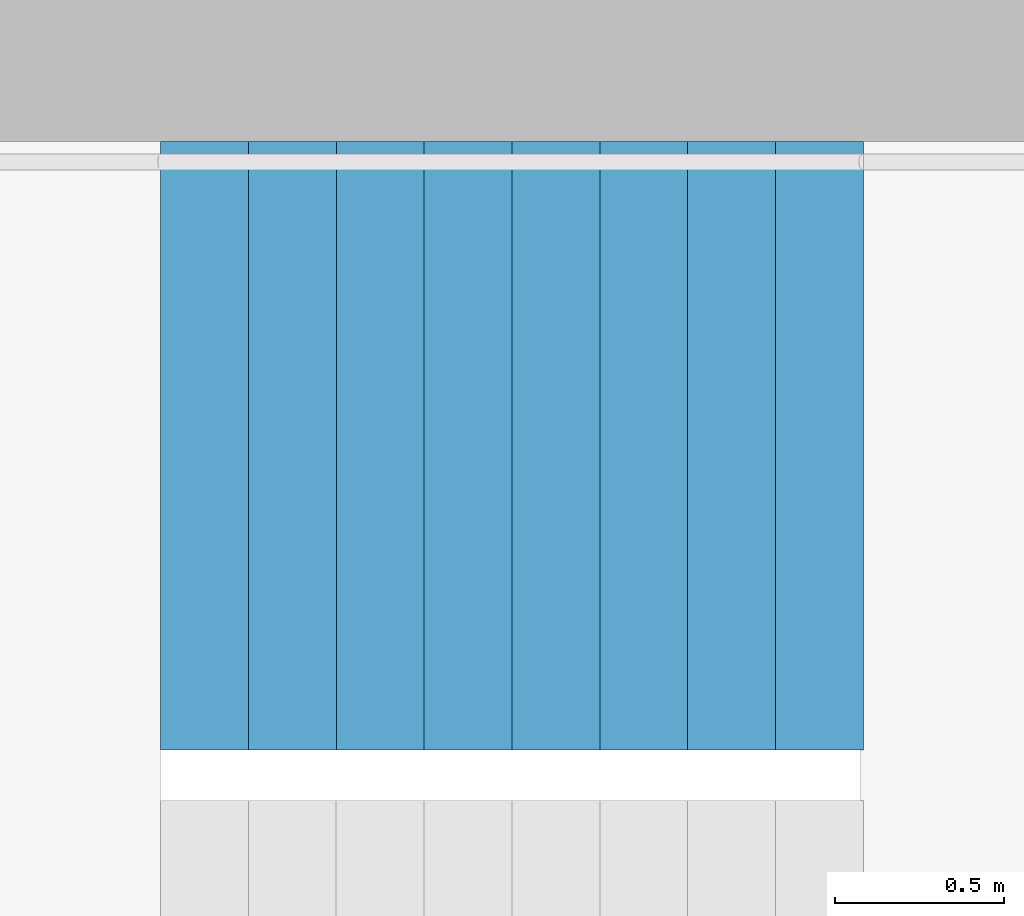
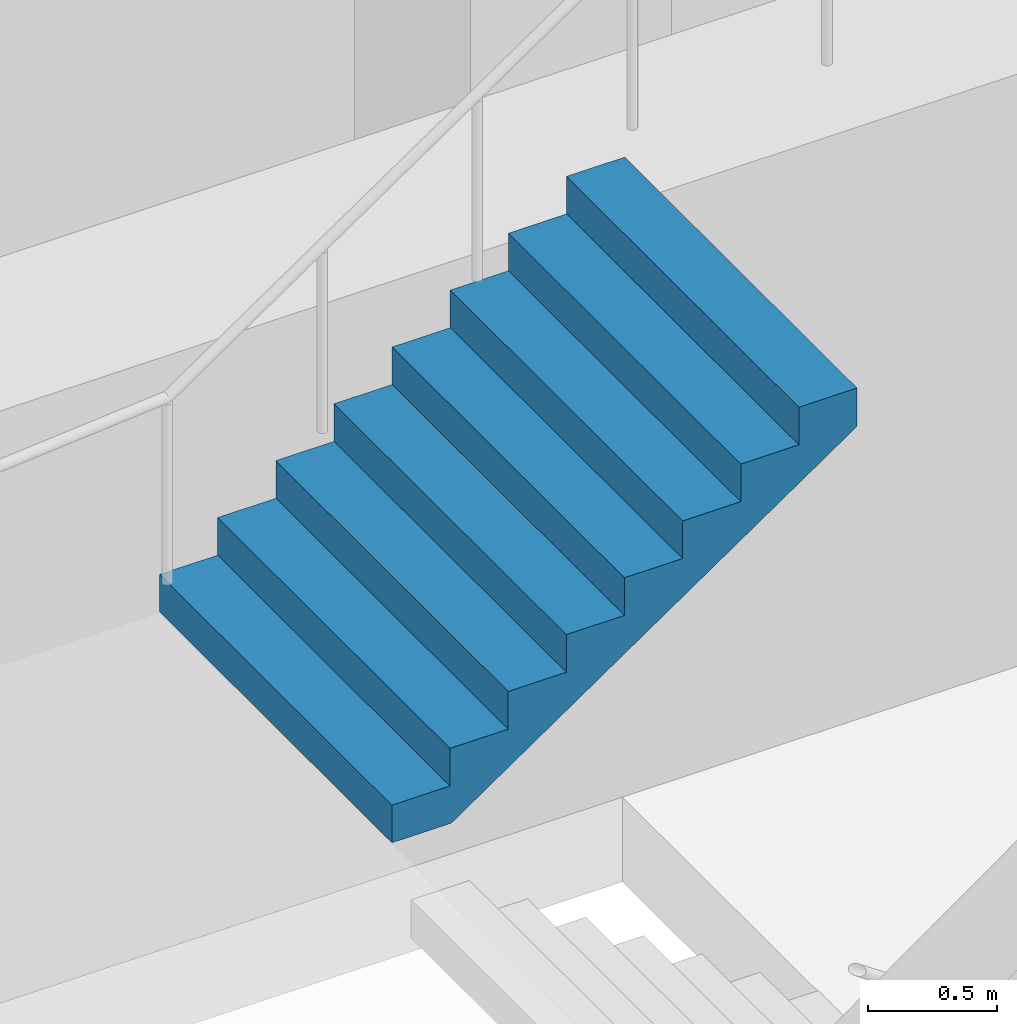
# One storey, part 28 of 29: 1 stair flight, 1 element without a shape of its own.
"""IFC4 building model written with IfcOpenShell, lengths in metres."""

import ifcopenshell
import ifcopenshell.guid

model = None  # the IFC model being written
_history = None  # IfcOwnerHistory: only IFC2X3 demands one
_inside = {}  # id of a spatial element -> (the spatial element, [elements in it])
_under = {}  # id of a project, library or spatial element -> (it, [spatial elements below it])
_declared = {}  # id of a project -> (the project, [libraries it declares])
_typed = {}  # id of a type object -> (the type object, [elements of that type])
_made_of = {}  # id of a material, layer set ... -> (it, [elements and type objects made of it])


def new_model(schema):
    """Start an empty IFC model of exactly this schema.

    Asked for "IFC4X3", IfcOpenShell would pick the latest addendum, in which some entities
    have other attributes; the version numbers below select the first issue.
    IFC2X3 requires an IfcOwnerHistory on every rooted entity: one is made here for all.
    """
    global model, _history
    if schema == "IFC4X3":
        model = ifcopenshell.file(schema_version=(4, 3, 0, 0))
    else:
        model = ifcopenshell.file(schema=schema)
    _inside.clear()
    _under.clear()
    _declared.clear()
    _typed.clear()
    _made_of.clear()
    _history = None
    if model.schema == "IFC2X3":
        org = make("IfcOrganization", Name="unknown")
        user = make(
            "IfcPersonAndOrganization",
            ThePerson=make("IfcPerson", FamilyName="unknown"),
            TheOrganization=org,
        )
        app = make(
            "IfcApplication",
            ApplicationDeveloper=org,
            Version="unknown",
            ApplicationFullName="unknown",
            ApplicationIdentifier="unknown",
        )
        _history = make(
            "IfcOwnerHistory",
            OwningUser=user,
            OwningApplication=app,
            ChangeAction="ADDED",
            CreationDate=0,
        )
    return model


def make(cls, **values):
    """One entity of the class cls with the attributes given. An attribute that is None is left unset."""
    return model.create_entity(
        cls, **{name: value for name, value in values.items() if value is not None}
    )


def rooted(cls, **values):
    """An entity with a GlobalId (a new one), such as an element, a storey or a relation."""
    return make(cls, GlobalId=ifcopenshell.guid.new(), OwnerHistory=_history, **values)


def si_unit(unit_type, name, prefix=None):
    """IfcSIUnit, for example si_unit("LENGTHUNIT", "METRE", prefix="MILLI")."""
    return make("IfcSIUnit", UnitType=unit_type, Prefix=prefix, Name=name)


def assignment(units):
    """IfcUnitAssignment: the units of a project."""
    return None if units is None else make("IfcUnitAssignment", Units=units)


def point(xyz):
    """IfcCartesianPoint."""
    return None if xyz is None else make("IfcCartesianPoint", Coordinates=xyz)


def direction(xyz):
    """IfcDirection."""
    return None if xyz is None else make("IfcDirection", DirectionRatios=xyz)


def frame(location, z_axis=None, x_axis=None):
    """IfcAxis2Placement3D, a coordinate frame: its origin and axes. An axis left out is left unset."""
    return make(
        "IfcAxis2Placement3D",
        Location=point(location),
        Axis=direction(z_axis),
        RefDirection=direction(x_axis),
    )


def origin():
    """The frame at (0, 0, 0) with its axes left unset."""
    return frame((0.0, 0.0, 0.0))


def place(relative_to, where):
    """IfcLocalPlacement: puts the frame where relative to a parent placement (None: the world)."""
    return make(
        "IfcLocalPlacement", PlacementRelTo=relative_to, RelativePlacement=where
    )


def context(
    kind, dimensions, precision=None, world=None, true_north=None, identifier=None
):
    """IfcGeometricRepresentationContext, for example the 3D "Model" context."""
    return make(
        "IfcGeometricRepresentationContext",
        ContextIdentifier=identifier,
        ContextType=kind,
        CoordinateSpaceDimension=dimensions,
        Precision=precision,
        WorldCoordinateSystem=world,
        TrueNorth=true_north,
    )


def subcontext(parent, identifier, kind, view, scale=None):
    """IfcGeometricRepresentationSubContext, for example "Body" below "Model"."""
    return make(
        "IfcGeometricRepresentationSubContext",
        ContextIdentifier=identifier,
        ContextType=kind,
        ParentContext=parent,
        TargetScale=scale,
        TargetView=view,
    )


def project(units=None, contexts=None):
    """IfcProject with its units and contexts."""
    return rooted(
        "IfcProject",
        Name="project",
        RepresentationContexts=contexts,
        UnitsInContext=assignment(units),
    )


def spatial(cls, under=None, at=None, **own):
    """A site, building, storey or space (cls), placed at a placement, below another one or the project."""
    s = rooted(cls, ObjectPlacement=at, **own)
    if under is not None:
        _under.setdefault(under.id(), (under, []))[1].append(s)
    return s


def point_list(points):
    """IfcCartesianPointList2D or 3D."""
    cls = (
        "IfcCartesianPointList2D" if len(points[0]) == 2 else "IfcCartesianPointList3D"
    )
    return make(cls, CoordList=points)


def triangles(points, corners, closed=None, point_numbers=None):
    """IfcTriangulatedFaceSet: each triangle names its three corners, points numbered from 1."""
    return make(
        "IfcTriangulatedFaceSet",
        Coordinates=point_list(points),
        Closed=closed,
        CoordIndex=corners,
        PnIndex=point_numbers,
    )


def shape(context_of_items, identifier, shape_type, items):
    """IfcShapeRepresentation: the items that make up one representation, for example the "Body"."""
    return make(
        "IfcShapeRepresentation",
        ContextOfItems=context_of_items,
        RepresentationIdentifier=identifier,
        RepresentationType=shape_type,
        Items=items,
    )


def material(Name=None, Category=None):
    """IfcMaterial."""
    return make("IfcMaterial", Name=Name, Category=Category)


def made_of(thing, what):
    """Note that an element or type object is made of a material, layer set ...; save() writes the relation."""
    if what is not None:
        _made_of.setdefault(what.id(), (what, []))[1].append(thing)
    return thing


def type_object(cls, material=None, **own):
    """A type object (cls), such as IfcWallType, which elements share."""
    return made_of(rooted(cls, **own), material)


def element(
    cls,
    number,
    at=None,
    inside=None,
    cuts=None,
    type_object=None,
    material=None,
    context=None,
    identifier="Body",
    shape_type=None,
    held_by="IfcProductDefinitionShape",
    body=None,
    shapes=None,
    **own,
):
    """One element of the class cls, such as IfcWall. Its Tag is "e" and its number.

    at: its placement. inside: the storey or other place that contains it. cuts: it is an
    opening in that element (IfcRelVoidsElement). A single representation is given by context,
    identifier, shape_type and body (its items); several are given by shapes. held_by: the class
    of the entity that holds the representations. save() writes the other relations.
    """
    e = rooted(cls, Tag="e%d" % number, ObjectPlacement=at, **own)
    if body is not None:
        shapes = [shape(context, identifier, shape_type, body)]
    if shapes is not None:
        e.Representation = make(held_by, Representations=shapes)
    if inside is not None:
        _inside.setdefault(inside.id(), (inside, []))[1].append(e)
    if cuts is not None:
        rooted(
            "IfcRelVoidsElement", RelatingBuildingElement=cuts, RelatedOpeningElement=e
        )
    if type_object is not None:
        _typed.setdefault(type_object.id(), (type_object, []))[1].append(e)
    return made_of(e, material)


def aggregate(whole, parts):
    """IfcRelAggregates: a whole, such as a stair, and the parts it consists of."""
    return rooted("IfcRelAggregates", RelatingObject=whole, RelatedObjects=parts)


def save(model, path):
    """Write the relations noted so far, then the file.

    IfcRelAggregates (storeys below a building ...), IfcRelContainedInSpatialStructure (elements
    in a storey), IfcRelDefinesByType, IfcRelAssociatesMaterial and IfcRelDeclares: one each for
    every whole, place, type object, material and project.
    """
    for whole, parts in _under.values():
        aggregate(whole, parts)
    for where, things in _inside.values():
        rooted(
            "IfcRelContainedInSpatialStructure",
            RelatedElements=things,
            RelatingStructure=where,
        )
    for kind, things in _typed.values():
        rooted("IfcRelDefinesByType", RelatedObjects=things, RelatingType=kind)
    for what, things in _made_of.values():
        rooted("IfcRelAssociatesMaterial", RelatedObjects=things, RelatingMaterial=what)
    for by, libraries in _declared.values():
        rooted("IfcRelDeclares", RelatingContext=by, RelatedDefinitions=libraries)
    model.write(path)


model = new_model("IFC4")

# Units and contexts
model_context = context("Model", 3, precision=1e-05, world=origin(), true_north=direction((0.0, 1.0)))
body_context = subcontext(model_context, "Body", "Model", "MODEL_VIEW")
ifc_project = project(units=[si_unit("LENGTHUNIT", "METRE"), si_unit("AREAUNIT", "SQUARE_METRE"), si_unit("VOLUMEUNIT", "CUBIC_METRE"), si_unit("PLANEANGLEUNIT", "RADIAN"), si_unit("MASSUNIT", "GRAM", prefix="KILO")], contexts=[model_context])

# Site, building, storey
site_placement = place(None, origin())
site = spatial("IfcSite", under=ifc_project, at=site_placement, CompositionType="ELEMENT")
building_placement = place(site_placement, origin())
building = spatial("IfcBuilding", under=site, at=building_placement, Name="Hakoniwa Tower and Hamabe Station Hall", CompositionType="ELEMENT")
storey_placement = place(building_placement, frame((0.0, 0.0, 110.60009765625)))
storey = spatial("IfcBuildingStorey", under=building, at=storey_placement, Name="L31", CompositionType="ELEMENT", Elevation=110.60009765625)

# Stair, stair flight
ifc_material_1 = material(Name="Concrete C40", Category="concrete")
stair_type = type_object("IfcStairType", Name="ESCAPE STAIR 1800", PredefinedType="HALF_TURN_STAIR", material=ifc_material_1)
stair_placement = place(storey_placement, origin())
stair = element("IfcStair", 1, at=stair_placement, inside=storey, type_object=stair_type, Name="Escape stair ST-3 L31", PredefinedType="HALF_TURN_STAIR")
ifc_material_2 = material(Name="Concrete C40", Category="concrete")
stair_flight_type = type_object("IfcStairFlightType", Name="STAIR FLIGHT 1800", PredefinedType="STRAIGHT", material=ifc_material_2)
stair_flight_placement = place(storey_placement, frame((22.320068359375, 6.60009765625, 1.599853515625), z_axis=(0.0, 0.0, 1.0), x_axis=(1.0, 0.0, 0.0)))
stair_flight = element("IfcStairFlight", 2, at=stair_flight_placement, type_object=stair_flight_type, Name="ST-3 flight 2", NumberOfRisers=9, NumberOfTreads=8, PredefinedType="STRAIGHT", RiserHeight=0.177777778, TreadLength=0.26, context=body_context, shape_type="Tessellation", body=[
    triangles([(0.0, 0.89990234375, 0.0), (0.260009765625, 0.89990234375, 0.0), (0.265625, 0.89990234375, 0.0), (0.52001953125, 0.89990234375, 0.174072265625), (0.780029296875, 0.89990234375, 0.351806640625), (1.0400390625, 0.89990234375, 0.529541015625), (1.300048828125, 0.89990234375, 0.707275390625), (1.56005859375, 0.89990234375, 0.885009765625), (1.820068359375, 0.89990234375, 1.062744140625), (2.080078125, 0.89990234375, 1.24072265625), (2.080078125, 0.89990234375, 1.422119140625), (1.820068359375, 0.89990234375, 1.422119140625), (1.820068359375, 0.89990234375, 1.244384765625), (1.56005859375, 0.89990234375, 1.244384765625), (1.56005859375, 0.89990234375, 1.066650390625), (1.300048828125, 0.89990234375, 1.066650390625), (1.300048828125, 0.89990234375, 0.888916015625), (1.0400390625, 0.89990234375, 0.888916015625), (1.0400390625, 0.89990234375, 0.711181640625), (0.780029296875, 0.89990234375, 0.711181640625), (0.780029296875, 0.89990234375, 0.533447265625), (0.52001953125, 0.89990234375, 0.533447265625), (0.52001953125, 0.89990234375, 0.35546875), (0.265625, 0.89990234375, 0.35546875), (0.260009765625, 0.89990234375, 0.35546875), (0.260009765625, 0.89990234375, 0.177734375), (0.0, 0.89990234375, 0.177734375), (0.0, 0.06005859375, 0.0), (0.260009765625, 0.06005859375, 0.0), (0.265625, 0.06005859375, 0.0), (0.52001953125, 0.06005859375, 0.174072265625), (0.780029296875, 0.06005859375, 0.351806640625), (1.0400390625, 0.06005859375, 0.529541015625), (1.300048828125, 0.06005859375, 0.707275390625), (1.56005859375, 0.06005859375, 0.885009765625), (1.820068359375, 0.06005859375, 1.062744140625), (2.080078125, 0.06005859375, 1.24072265625), (2.080078125, 0.06005859375, 1.422119140625), (1.820068359375, 0.06005859375, 1.422119140625), (1.820068359375, 0.06005859375, 1.244384765625), (1.56005859375, 0.06005859375, 1.244384765625), (1.56005859375, 0.06005859375, 1.066650390625), (1.300048828125, 0.06005859375, 1.066650390625), (1.300048828125, 0.06005859375, 0.888916015625), (1.0400390625, 0.06005859375, 0.888916015625), (1.0400390625, 0.06005859375, 0.711181640625), (0.780029296875, 0.06005859375, 0.711181640625), (0.780029296875, 0.06005859375, 0.533447265625), (0.52001953125, 0.06005859375, 0.533447265625), (0.52001953125, 0.06005859375, 0.35546875), (0.265625, 0.06005859375, 0.35546875), (0.260009765625, 0.06005859375, 0.35546875), (0.260009765625, 0.06005859375, 0.177734375), (0.0, 0.06005859375, 0.177734375), (0.0, 0.04296875, 0.0), (0.260009765625, 0.04296875, 0.0), (0.265625, 0.04296875, 0.0), (0.52001953125, 0.04296875, 0.174072265625), (0.780029296875, 0.04296875, 0.351806640625), (1.0400390625, 0.04296875, 0.529541015625), (1.300048828125, 0.04296875, 0.707275390625), (1.56005859375, 0.04296875, 0.885009765625), (1.820068359375, 0.04296875, 1.062744140625), (2.080078125, 0.04296875, 1.24072265625), (2.080078125, 0.04296875, 1.422119140625), (1.820068359375, 0.04296875, 1.422119140625), (1.820068359375, 0.04296875, 1.244384765625), (1.56005859375, 0.04296875, 1.244384765625), (1.56005859375, 0.04296875, 1.066650390625), (1.300048828125, 0.04296875, 1.066650390625), (1.300048828125, 0.04296875, 0.888916015625), (1.0400390625, 0.04296875, 0.888916015625), (1.0400390625, 0.04296875, 0.711181640625), (0.780029296875, 0.04296875, 0.711181640625), (0.780029296875, 0.04296875, 0.533447265625), (0.52001953125, 0.04296875, 0.533447265625), (0.52001953125, 0.04296875, 0.35546875), (0.265625, 0.04296875, 0.35546875), (0.260009765625, 0.04296875, 0.35546875), (0.260009765625, 0.04296875, 0.177734375), (0.0, 0.04296875, 0.177734375), (0.0, 0.025634765625, 0.0), (0.260009765625, 0.025634765625, 0.0), (0.265625, 0.025634765625, 0.0), (0.52001953125, 0.025634765625, 0.174072265625), (0.780029296875, 0.025634765625, 0.351806640625), (1.0400390625, 0.025634765625, 0.529541015625), (1.300048828125, 0.025634765625, 0.707275390625), (1.56005859375, 0.025634765625, 0.885009765625), (1.820068359375, 0.025634765625, 1.062744140625), (2.080078125, 0.025634765625, 1.24072265625), (2.080078125, 0.025634765625, 1.422119140625), (1.820068359375, 0.025634765625, 1.422119140625), (1.820068359375, 0.025634765625, 1.244384765625), (1.56005859375, 0.025634765625, 1.244384765625), (1.56005859375, 0.025634765625, 1.066650390625), (1.300048828125, 0.025634765625, 1.066650390625), (1.300048828125, 0.025634765625, 0.888916015625), (1.0400390625, 0.025634765625, 0.888916015625), (1.0400390625, 0.025634765625, 0.711181640625), (0.780029296875, 0.025634765625, 0.711181640625), (0.780029296875, 0.025634765625, 0.533447265625), (0.52001953125, 0.025634765625, 0.533447265625), (0.52001953125, 0.025634765625, 0.35546875), (0.265625, 0.025634765625, 0.35546875), (0.260009765625, 0.025634765625, 0.35546875), (0.260009765625, 0.025634765625, 0.177734375), (0.0, 0.025634765625, 0.177734375), (0.0, 0.008544921875, 0.0), (0.260009765625, 0.008544921875, 0.0), (0.265625, 0.008544921875, 0.0), (0.52001953125, 0.008544921875, 0.174072265625), (0.780029296875, 0.008544921875, 0.351806640625), (1.0400390625, 0.008544921875, 0.529541015625), (1.300048828125, 0.008544921875, 0.707275390625), (1.56005859375, 0.008544921875, 0.885009765625), (1.820068359375, 0.008544921875, 1.062744140625), (2.080078125, 0.008544921875, 1.24072265625), (2.080078125, 0.008544921875, 1.422119140625), (1.820068359375, 0.008544921875, 1.422119140625), (1.820068359375, 0.008544921875, 1.244384765625), (1.56005859375, 0.008544921875, 1.244384765625), (1.56005859375, 0.008544921875, 1.066650390625), (1.300048828125, 0.008544921875, 1.066650390625), (1.300048828125, 0.008544921875, 0.888916015625), (1.0400390625, 0.008544921875, 0.888916015625), (1.0400390625, 0.008544921875, 0.711181640625), (0.780029296875, 0.008544921875, 0.711181640625), (0.780029296875, 0.008544921875, 0.533447265625), (0.52001953125, 0.008544921875, 0.533447265625), (0.52001953125, 0.008544921875, 0.35546875), (0.265625, 0.008544921875, 0.35546875), (0.260009765625, 0.008544921875, 0.35546875), (0.260009765625, 0.008544921875, 0.177734375), (0.0, 0.008544921875, 0.177734375), (0.0, -0.008544921875, 0.0), (0.260009765625, -0.008544921875, 0.0), (0.265625, -0.008544921875, 0.0), (0.52001953125, -0.008544921875, 0.174072265625), (0.780029296875, -0.008544921875, 0.351806640625), (1.0400390625, -0.008544921875, 0.529541015625), (1.300048828125, -0.008544921875, 0.707275390625), (1.56005859375, -0.008544921875, 0.885009765625), (1.820068359375, -0.008544921875, 1.062744140625), (2.080078125, -0.008544921875, 1.24072265625), (2.080078125, -0.008544921875, 1.422119140625), (1.820068359375, -0.008544921875, 1.422119140625), (1.820068359375, -0.008544921875, 1.244384765625), (1.56005859375, -0.008544921875, 1.244384765625), (1.56005859375, -0.008544921875, 1.066650390625), (1.300048828125, -0.008544921875, 1.066650390625), (1.300048828125, -0.008544921875, 0.888916015625), (1.0400390625, -0.008544921875, 0.888916015625), (1.0400390625, -0.008544921875, 0.711181640625), (0.780029296875, -0.008544921875, 0.711181640625), (0.780029296875, -0.008544921875, 0.533447265625), (0.52001953125, -0.008544921875, 0.533447265625), (0.52001953125, -0.008544921875, 0.35546875), (0.265625, -0.008544921875, 0.35546875), (0.260009765625, -0.008544921875, 0.35546875), (0.260009765625, -0.008544921875, 0.177734375), (0.0, -0.008544921875, 0.177734375), (0.0, -0.025634765625, 0.0), (0.260009765625, -0.025634765625, 0.0), (0.265625, -0.025634765625, 0.0), (0.52001953125, -0.025634765625, 0.174072265625), (0.780029296875, -0.025634765625, 0.351806640625), (1.0400390625, -0.025634765625, 0.529541015625), (1.300048828125, -0.025634765625, 0.707275390625), (1.56005859375, -0.025634765625, 0.885009765625), (1.820068359375, -0.025634765625, 1.062744140625), (2.080078125, -0.025634765625, 1.24072265625), (2.080078125, -0.025634765625, 1.422119140625), (1.820068359375, -0.025634765625, 1.422119140625), (1.820068359375, -0.025634765625, 1.244384765625), (1.56005859375, -0.025634765625, 1.244384765625), (1.56005859375, -0.025634765625, 1.066650390625), (1.300048828125, -0.025634765625, 1.066650390625), (1.300048828125, -0.025634765625, 0.888916015625), (1.0400390625, -0.025634765625, 0.888916015625), (1.0400390625, -0.025634765625, 0.711181640625), (0.780029296875, -0.025634765625, 0.711181640625), (0.780029296875, -0.025634765625, 0.533447265625), (0.52001953125, -0.025634765625, 0.533447265625), (0.52001953125, -0.025634765625, 0.35546875), (0.265625, -0.025634765625, 0.35546875), (0.260009765625, -0.025634765625, 0.35546875), (0.260009765625, -0.025634765625, 0.177734375), (0.0, -0.025634765625, 0.177734375), (0.0, -0.04296875, 0.0), (0.260009765625, -0.04296875, 0.0), (0.265625, -0.04296875, 0.0), (0.52001953125, -0.04296875, 0.174072265625), (0.780029296875, -0.04296875, 0.351806640625), (1.0400390625, -0.04296875, 0.529541015625), (1.300048828125, -0.04296875, 0.707275390625), (1.56005859375, -0.04296875, 0.885009765625), (1.820068359375, -0.04296875, 1.062744140625), (2.080078125, -0.04296875, 1.24072265625), (2.080078125, -0.04296875, 1.422119140625), (1.820068359375, -0.04296875, 1.422119140625), (1.820068359375, -0.04296875, 1.244384765625), (1.56005859375, -0.04296875, 1.244384765625), (1.56005859375, -0.04296875, 1.066650390625), (1.300048828125, -0.04296875, 1.066650390625), (1.300048828125, -0.04296875, 0.888916015625), (1.0400390625, -0.04296875, 0.888916015625), (1.0400390625, -0.04296875, 0.711181640625), (0.780029296875, -0.04296875, 0.711181640625), (0.780029296875, -0.04296875, 0.533447265625), (0.52001953125, -0.04296875, 0.533447265625), (0.52001953125, -0.04296875, 0.35546875), (0.265625, -0.04296875, 0.35546875), (0.260009765625, -0.04296875, 0.35546875), (0.260009765625, -0.04296875, 0.177734375), (0.0, -0.04296875, 0.177734375), (0.0, -0.06005859375, 0.0), (0.260009765625, -0.06005859375, 0.0), (0.265625, -0.06005859375, 0.0), (0.52001953125, -0.06005859375, 0.174072265625), (0.780029296875, -0.06005859375, 0.351806640625), (1.0400390625, -0.06005859375, 0.529541015625), (1.300048828125, -0.06005859375, 0.707275390625), (1.56005859375, -0.06005859375, 0.885009765625), (1.820068359375, -0.06005859375, 1.062744140625), (2.080078125, -0.06005859375, 1.24072265625), (2.080078125, -0.06005859375, 1.422119140625), (1.820068359375, -0.06005859375, 1.422119140625), (1.820068359375, -0.06005859375, 1.244384765625), (1.56005859375, -0.06005859375, 1.244384765625), (1.56005859375, -0.06005859375, 1.066650390625), (1.300048828125, -0.06005859375, 1.066650390625), (1.300048828125, -0.06005859375, 0.888916015625), (1.0400390625, -0.06005859375, 0.888916015625), (1.0400390625, -0.06005859375, 0.711181640625), (0.780029296875, -0.06005859375, 0.711181640625), (0.780029296875, -0.06005859375, 0.533447265625), (0.52001953125, -0.06005859375, 0.533447265625), (0.52001953125, -0.06005859375, 0.35546875), (0.265625, -0.06005859375, 0.35546875), (0.260009765625, -0.06005859375, 0.35546875), (0.260009765625, -0.06005859375, 0.177734375), (0.0, -0.06005859375, 0.177734375), (0.0, -0.89990234375, 0.0), (0.260009765625, -0.89990234375, 0.0), (0.265625, -0.89990234375, 0.0), (0.52001953125, -0.89990234375, 0.174072265625), (0.780029296875, -0.89990234375, 0.351806640625), (1.0400390625, -0.89990234375, 0.529541015625), (1.300048828125, -0.89990234375, 0.707275390625), (1.56005859375, -0.89990234375, 0.885009765625), (1.820068359375, -0.89990234375, 1.062744140625), (2.080078125, -0.89990234375, 1.24072265625), (2.080078125, -0.89990234375, 1.422119140625), (1.820068359375, -0.89990234375, 1.422119140625), (1.820068359375, -0.89990234375, 1.244384765625), (1.56005859375, -0.89990234375, 1.244384765625), (1.56005859375, -0.89990234375, 1.066650390625), (1.300048828125, -0.89990234375, 1.066650390625), (1.300048828125, -0.89990234375, 0.888916015625), (1.0400390625, -0.89990234375, 0.888916015625), (1.0400390625, -0.89990234375, 0.711181640625), (0.780029296875, -0.89990234375, 0.711181640625), (0.780029296875, -0.89990234375, 0.533447265625), (0.52001953125, -0.89990234375, 0.533447265625), (0.52001953125, -0.89990234375, 0.35546875), (0.265625, -0.89990234375, 0.35546875), (0.260009765625, -0.89990234375, 0.35546875), (0.260009765625, -0.89990234375, 0.177734375), (0.0, -0.89990234375, 0.177734375)], [[2, 27, 26], [245, 269, 270], [2, 1, 27], [245, 270, 244], [3, 25, 24], [246, 267, 268], [3, 26, 25], [246, 268, 269], [3, 2, 26], [246, 269, 245], [4, 24, 23], [247, 266, 267], [4, 3, 24], [247, 267, 246], [5, 22, 21], [248, 264, 265], [5, 23, 22], [248, 265, 266], [5, 4, 23], [248, 266, 247], [6, 20, 19], [249, 262, 263], [6, 21, 20], [249, 263, 264], [6, 5, 21], [249, 264, 248], [7, 18, 17], [250, 260, 261], [7, 19, 18], [250, 261, 262], [7, 6, 19], [250, 262, 249], [8, 16, 15], [251, 258, 259], [8, 17, 16], [251, 259, 260], [8, 7, 17], [251, 260, 250], [9, 14, 13], [252, 256, 257], [9, 15, 14], [252, 257, 258], [9, 8, 15], [252, 258, 251], [10, 12, 11], [253, 254, 255], [10, 13, 12], [253, 255, 256], [10, 9, 13], [253, 256, 252], [1, 2, 29], [1, 29, 28], [28, 29, 56], [28, 56, 55], [55, 56, 83], [55, 83, 82], [82, 83, 110], [82, 110, 109], [109, 110, 137], [109, 137, 136], [136, 137, 164], [136, 164, 163], [163, 164, 191], [163, 191, 190], [190, 191, 218], [190, 218, 217], [217, 218, 245], [217, 245, 244], [2, 3, 30], [2, 30, 29], [29, 30, 57], [29, 57, 56], [56, 57, 84], [56, 84, 83], [83, 84, 111], [83, 111, 110], [110, 111, 138], [110, 138, 137], [137, 138, 165], [137, 165, 164], [164, 165, 192], [164, 192, 191], [191, 192, 219], [191, 219, 218], [218, 219, 246], [218, 246, 245], [3, 4, 31], [3, 31, 30], [30, 31, 58], [30, 58, 57], [57, 58, 85], [57, 85, 84], [84, 85, 112], [84, 112, 111], [111, 112, 139], [111, 139, 138], [138, 139, 166], [138, 166, 165], [165, 166, 193], [165, 193, 192], [192, 193, 220], [192, 220, 219], [219, 220, 247], [219, 247, 246], [4, 5, 32], [4, 32, 31], [31, 32, 59], [31, 59, 58], [58, 59, 86], [58, 86, 85], [85, 86, 113], [85, 113, 112], [112, 113, 140], [112, 140, 139], [139, 140, 167], [139, 167, 166], [166, 167, 194], [166, 194, 193], [193, 194, 221], [193, 221, 220], [220, 221, 248], [220, 248, 247], [5, 6, 33], [5, 33, 32], [32, 33, 60], [32, 60, 59], [59, 60, 87], [59, 87, 86], [86, 87, 114], [86, 114, 113], [113, 114, 141], [113, 141, 140], [140, 141, 168], [140, 168, 167], [167, 168, 195], [167, 195, 194], [194, 195, 222], [194, 222, 221], [221, 222, 249], [221, 249, 248], [6, 7, 34], [6, 34, 33], [33, 34, 61], [33, 61, 60], [60, 61, 88], [60, 88, 87], [87, 88, 115], [87, 115, 114], [114, 115, 142], [114, 142, 141], [141, 142, 169], [141, 169, 168], [168, 169, 196], [168, 196, 195], [195, 196, 223], [195, 223, 222], [222, 223, 250], [222, 250, 249], [7, 8, 35], [7, 35, 34], [34, 35, 62], [34, 62, 61], [61, 62, 89], [61, 89, 88], [88, 89, 116], [88, 116, 115], [115, 116, 143], [115, 143, 142], [142, 143, 170], [142, 170, 169], [169, 170, 197], [169, 197, 196], [196, 197, 224], [196, 224, 223], [223, 224, 251], [223, 251, 250], [8, 9, 36], [8, 36, 35], [35, 36, 63], [35, 63, 62], [62, 63, 90], [62, 90, 89], [89, 90, 117], [89, 117, 116], [116, 117, 144], [116, 144, 143], [143, 144, 171], [143, 171, 170], [170, 171, 198], [170, 198, 197], [197, 198, 225], [197, 225, 224], [224, 225, 252], [224, 252, 251], [9, 10, 37], [9, 37, 36], [36, 37, 64], [36, 64, 63], [63, 64, 91], [63, 91, 90], [90, 91, 118], [90, 118, 117], [117, 118, 145], [117, 145, 144], [144, 145, 172], [144, 172, 171], [171, 172, 199], [171, 199, 198], [198, 199, 226], [198, 226, 225], [225, 226, 253], [225, 253, 252], [10, 11, 38], [10, 38, 37], [37, 38, 65], [37, 65, 64], [64, 65, 92], [64, 92, 91], [91, 92, 119], [91, 119, 118], [118, 119, 146], [118, 146, 145], [145, 146, 173], [145, 173, 172], [172, 173, 200], [172, 200, 199], [199, 200, 227], [199, 227, 226], [226, 227, 254], [226, 254, 253], [11, 12, 39], [11, 39, 38], [38, 39, 66], [38, 66, 65], [65, 66, 93], [65, 93, 92], [92, 93, 120], [92, 120, 119], [119, 120, 147], [119, 147, 146], [146, 147, 174], [146, 174, 173], [173, 174, 201], [173, 201, 200], [200, 201, 228], [200, 228, 227], [227, 228, 255], [227, 255, 254], [12, 13, 40], [12, 40, 39], [39, 40, 67], [39, 67, 66], [66, 67, 94], [66, 94, 93], [93, 94, 121], [93, 121, 120], [120, 121, 148], [120, 148, 147], [147, 148, 175], [147, 175, 174], [174, 175, 202], [174, 202, 201], [201, 202, 229], [201, 229, 228], [228, 229, 256], [228, 256, 255], [13, 14, 41], [13, 41, 40], [40, 41, 68], [40, 68, 67], [67, 68, 95], [67, 95, 94], [94, 95, 122], [94, 122, 121], [121, 122, 149], [121, 149, 148], [148, 149, 176], [148, 176, 175], [175, 176, 203], [175, 203, 202], [202, 203, 230], [202, 230, 229], [229, 230, 257], [229, 257, 256], [14, 15, 42], [14, 42, 41], [41, 42, 69], [41, 69, 68], [68, 69, 96], [68, 96, 95], [95, 96, 123], [95, 123, 122], [122, 123, 150], [122, 150, 149], [149, 150, 177], [149, 177, 176], [176, 177, 204], [176, 204, 203], [203, 204, 231], [203, 231, 230], [230, 231, 258], [230, 258, 257], [15, 16, 43], [15, 43, 42], [42, 43, 70], [42, 70, 69], [69, 70, 97], [69, 97, 96], [96, 97, 124], [96, 124, 123], [123, 124, 151], [123, 151, 150], [150, 151, 178], [150, 178, 177], [177, 178, 205], [177, 205, 204], [204, 205, 232], [204, 232, 231], [231, 232, 259], [231, 259, 258], [16, 17, 44], [16, 44, 43], [43, 44, 71], [43, 71, 70], [70, 71, 98], [70, 98, 97], [97, 98, 125], [97, 125, 124], [124, 125, 152], [124, 152, 151], [151, 152, 179], [151, 179, 178], [178, 179, 206], [178, 206, 205], [205, 206, 233], [205, 233, 232], [232, 233, 260], [232, 260, 259], [17, 18, 45], [17, 45, 44], [44, 45, 72], [44, 72, 71], [71, 72, 99], [71, 99, 98], [98, 99, 126], [98, 126, 125], [125, 126, 153], [125, 153, 152], [152, 153, 180], [152, 180, 179], [179, 180, 207], [179, 207, 206], [206, 207, 234], [206, 234, 233], [233, 234, 261], [233, 261, 260], [18, 19, 46], [18, 46, 45], [45, 46, 73], [45, 73, 72], [72, 73, 100], [72, 100, 99], [99, 100, 127], [99, 127, 126], [126, 127, 154], [126, 154, 153], [153, 154, 181], [153, 181, 180], [180, 181, 208], [180, 208, 207], [207, 208, 235], [207, 235, 234], [234, 235, 262], [234, 262, 261], [19, 20, 47], [19, 47, 46], [46, 47, 74], [46, 74, 73], [73, 74, 101], [73, 101, 100], [100, 101, 128], [100, 128, 127], [127, 128, 155], [127, 155, 154], [154, 155, 182], [154, 182, 181], [181, 182, 209], [181, 209, 208], [208, 209, 236], [208, 236, 235], [235, 236, 263], [235, 263, 262], [20, 21, 48], [20, 48, 47], [47, 48, 75], [47, 75, 74], [74, 75, 102], [74, 102, 101], [101, 102, 129], [101, 129, 128], [128, 129, 156], [128, 156, 155], [155, 156, 183], [155, 183, 182], [182, 183, 210], [182, 210, 209], [209, 210, 237], [209, 237, 236], [236, 237, 264], [236, 264, 263], [21, 22, 49], [21, 49, 48], [48, 49, 76], [48, 76, 75], [75, 76, 103], [75, 103, 102], [102, 103, 130], [102, 130, 129], [129, 130, 157], [129, 157, 156], [156, 157, 184], [156, 184, 183], [183, 184, 211], [183, 211, 210], [210, 211, 238], [210, 238, 237], [237, 238, 265], [237, 265, 264], [22, 23, 50], [22, 50, 49], [49, 50, 77], [49, 77, 76], [76, 77, 104], [76, 104, 103], [103, 104, 131], [103, 131, 130], [130, 131, 158], [130, 158, 157], [157, 158, 185], [157, 185, 184], [184, 185, 212], [184, 212, 211], [211, 212, 239], [211, 239, 238], [238, 239, 266], [238, 266, 265], [23, 24, 51], [23, 51, 50], [50, 51, 78], [50, 78, 77], [77, 78, 105], [77, 105, 104], [104, 105, 132], [104, 132, 131], [131, 132, 159], [131, 159, 158], [158, 159, 186], [158, 186, 185], [185, 186, 213], [185, 213, 212], [212, 213, 240], [212, 240, 239], [239, 240, 267], [239, 267, 266], [24, 25, 52], [24, 52, 51], [51, 52, 79], [51, 79, 78], [78, 79, 106], [78, 106, 105], [105, 106, 133], [105, 133, 132], [132, 133, 160], [132, 160, 159], [159, 160, 187], [159, 187, 186], [186, 187, 214], [186, 214, 213], [213, 214, 241], [213, 241, 240], [240, 241, 268], [240, 268, 267], [25, 26, 53], [25, 53, 52], [52, 53, 80], [52, 80, 79], [79, 80, 107], [79, 107, 106], [106, 107, 134], [106, 134, 133], [133, 134, 161], [133, 161, 160], [160, 161, 188], [160, 188, 187], [187, 188, 215], [187, 215, 214], [214, 215, 242], [214, 242, 241], [241, 242, 269], [241, 269, 268], [26, 27, 54], [26, 54, 53], [53, 54, 81], [53, 81, 80], [80, 81, 108], [80, 108, 107], [107, 108, 135], [107, 135, 134], [134, 135, 162], [134, 162, 161], [161, 162, 189], [161, 189, 188], [188, 189, 216], [188, 216, 215], [215, 216, 243], [215, 243, 242], [242, 243, 270], [242, 270, 269], [27, 1, 28], [27, 28, 54], [54, 28, 55], [54, 55, 81], [81, 55, 82], [81, 82, 108], [108, 82, 109], [108, 109, 135], [135, 109, 136], [135, 136, 162], [162, 136, 163], [162, 163, 189], [189, 163, 190], [189, 190, 216], [216, 190, 217], [216, 217, 243], [243, 217, 244], [243, 244, 270]], closed=True),
])
aggregate(stair, [stair_flight])

save(model, "model.ifc")
